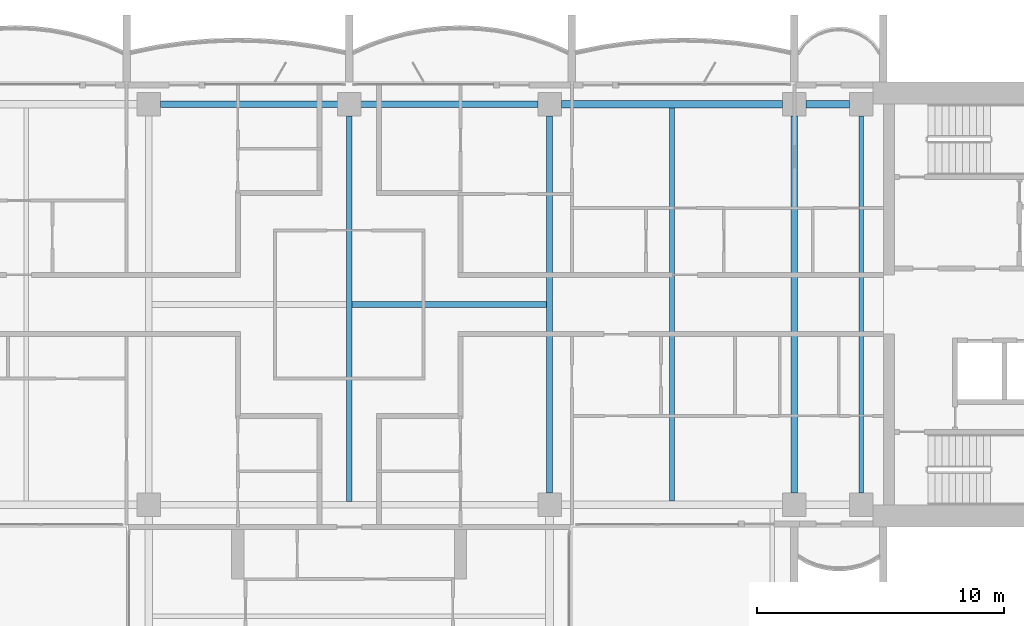
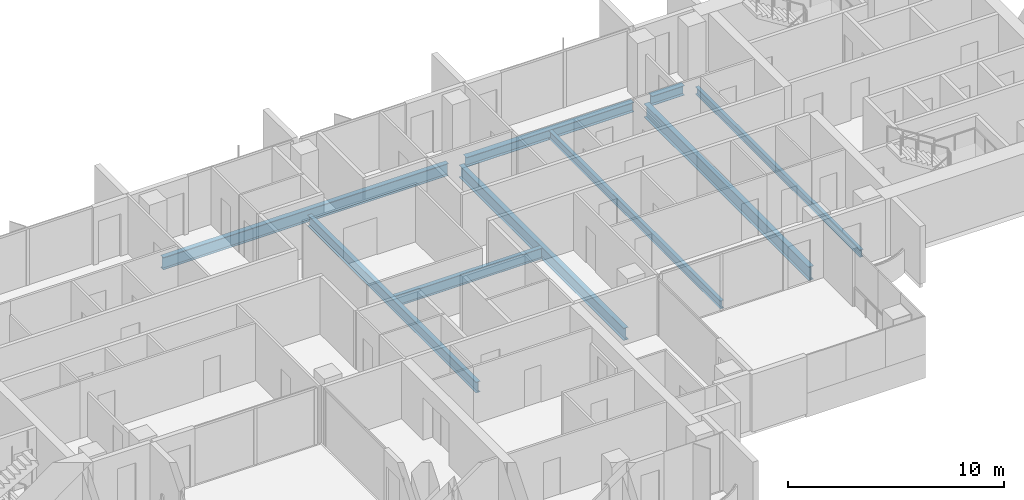
# One storey, part 4 of 17: 9 beams.
"""IFC4 building model written with IfcOpenShell, lengths in metres."""

from ifc_helpers import new_model, si_unit, direction, frame, origin, origin_2d, place, context, subcontext, project, spatial, i_section, extrude, material, material_profile, profile_set, type_object, element, save


model = new_model("IFC4")

# Units and contexts
model_context = context("Model", 3, precision=1e-05, world=origin(), true_north=direction((0.0, 1.0)))
body_context = subcontext(model_context, "Body", "Model", "MODEL_VIEW")
ifc_project = project(units=[si_unit("LENGTHUNIT", "METRE"), si_unit("AREAUNIT", "SQUARE_METRE"), si_unit("VOLUMEUNIT", "CUBIC_METRE"), si_unit("PLANEANGLEUNIT", "RADIAN"), si_unit("MASSUNIT", "GRAM", prefix="KILO")], contexts=[model_context])

# Site, building, storey
site_placement = place(None, origin())
site = spatial("IfcSite", under=ifc_project, at=site_placement, CompositionType="ELEMENT")
building_placement = place(site_placement, origin())
building = spatial("IfcBuilding", under=site, at=building_placement, Name="Perihelion Cross Residences", CompositionType="ELEMENT")
storey_placement = place(building_placement, frame((0.0, 0.0, 180.60009765625)))
storey = spatial("IfcBuildingStorey", under=building, at=storey_placement, Name="L44", CompositionType="ELEMENT", Elevation=180.60009765625)

# Beams
ifc_material_1 = material(Name="Steel S355", Category="steel")
ifc_material_profile_1 = material_profile(ifc_material_1, i_section(OverallWidth=0.180908203125, OverallDepth=0.4169921875, WebThickness=0.010986328125, FlangeThickness=0.018310546875, at=origin_2d()), Name="W410x85")
ifc_profile_set_1 = profile_set([ifc_material_profile_1], Name="Steel S355")
beam_type_1 = type_object("IfcBeamType", Name="Core edge beam W410x85", PredefinedType="BEAM", material=ifc_profile_set_1)
beam_1_placement = place(storey_placement, frame((20.699951171875, -7.625, -0.45849609375), z_axis=(0.0, 1.0, 0.0), x_axis=(-1.0, 0.0, 0.0)))
element("IfcBeam", 1, at=beam_1_placement, inside=storey, type_object=beam_type_1, Name="Core edge beam TB6 L44 no. 2", PredefinedType="BEAM", context=body_context, shape_type="SweptSolid", body=[
    extrude(i_section(OverallWidth=0.180908203125, OverallDepth=0.4169921875, WebThickness=0.010986328125, FlangeThickness=0.018310546875, at=origin_2d()), origin(), (0.0, 0.0, 1.0), 15.25),
])
ifc_material_2 = material(Name="Steel S355", Category="steel")
ifc_material_profile_2 = material_profile(ifc_material_2, i_section(OverallWidth=0.31201171875, OverallDepth=0.5439453125, WebThickness=0.0126953125, FlangeThickness=0.020263671875, at=origin_2d()), Name="W530x150")
ifc_profile_set_2 = profile_set([ifc_material_profile_2], Name="Steel S355")
beam_type_2 = type_object("IfcBeamType", Name="Edge beam W530x150", PredefinedType="SPANDREL", material=ifc_profile_set_2)
beam_2_placement = place(storey_placement, frame((20.22509765625, 8.10009765625, -0.522216796875), z_axis=(-1.0, 0.0, 0.0), x_axis=(0.0, -1.0, 0.0)))
element("IfcBeam", 2, at=beam_2_placement, inside=storey, type_object=beam_type_2, Name="Edge beam SB4 L44 no. 10", PredefinedType="SPANDREL", context=body_context, shape_type="SweptSolid", body=[
    extrude(i_section(OverallWidth=0.31201171875, OverallDepth=0.5439453125, WebThickness=0.0126953125, FlangeThickness=0.020263671875, at=origin_2d()), origin(), (0.0, 0.0, 1.0), 1.75),
])
beam_3_placement = place(storey_placement, frame((17.52490234375, 8.10009765625, -0.522216796875), z_axis=(-1.0, 0.0, 0.0), x_axis=(0.0, -1.0, 0.0)))
element("IfcBeam", 3, at=beam_3_placement, inside=storey, type_object=beam_type_2, Name="Edge beam SB4 L44 no. 9", PredefinedType="SPANDREL", context=body_context, shape_type="SweptSolid", body=[
    extrude(i_section(OverallWidth=0.31201171875, OverallDepth=0.5439453125, WebThickness=0.0126953125, FlangeThickness=0.020263671875, at=origin_2d()), origin(), (0.0, 0.0, 1.0), 8.949951171875),
])
ifc_material_3 = material(Name="Steel S355", Category="steel")
ifc_material_profile_3 = material_profile(ifc_material_3, i_section(OverallWidth=0.26708984375, OverallDepth=0.77001953125, WebThickness=0.015625, FlangeThickness=0.025390625, at=origin_2d()), Name="W760x196")
ifc_profile_set_3 = profile_set([ifc_material_profile_3], Name="Steel S355")
beam_type_3 = type_object("IfcBeamType", Name="Floor girder W760x196", PredefinedType="BEAM", material=ifc_profile_set_3)
beam_4_placement = place(storey_placement, frame((18.0, -7.625, -0.635009765625), z_axis=(0.0, 1.0, 0.0), x_axis=(-1.0, 0.0, 0.0)))
element("IfcBeam", 4, at=beam_4_placement, inside=storey, type_object=beam_type_3, Name="Girder G4 L44 no. 2", PredefinedType="BEAM", context=body_context, shape_type="SweptSolid", body=[
    extrude(i_section(OverallWidth=0.26708984375, OverallDepth=0.77001953125, WebThickness=0.015625, FlangeThickness=0.025390625, at=origin_2d()), origin(), (0.0, 0.0, 1.0), 15.25),
])
ifc_material_4 = material(Name="Steel S355", Category="steel")
ifc_material_profile_4 = material_profile(ifc_material_4, i_section(OverallWidth=0.19091796875, OverallDepth=0.45703125, WebThickness=0.009033203125, FlangeThickness=0.014404296875, at=origin_2d()), Name="W460x74")
ifc_profile_set_4 = profile_set([ifc_material_profile_4], Name="Steel S355")
beam_type_4 = type_object("IfcBeamType", Name="Floor joist W460x74", PredefinedType="JOIST", material=ifc_profile_set_4)
beam_5_placement = place(storey_placement, frame((13.050048828125, -7.944091796875, -0.478515625), z_axis=(0.0, 1.0, 0.0), x_axis=(-1.0, 0.0, 0.0)))
element("IfcBeam", 5, at=beam_5_placement, inside=storey, type_object=beam_type_4, Name="Joist J5 L44 no. 2", PredefinedType="JOIST", context=body_context, shape_type="SweptSolid", body=[
    extrude(i_section(OverallWidth=0.19091796875, OverallDepth=0.45703125, WebThickness=0.009033203125, FlangeThickness=0.014404296875, at=origin_2d()), origin(), (0.0, 0.0, 1.0), 15.88818359375),
])
ifc_material_5 = material(Name="Steel S355", Category="steel")
ifc_material_profile_5 = material_profile(ifc_material_5, i_section(OverallWidth=0.22900390625, OverallDepth=0.612060546875, WebThickness=0.011962890625, FlangeThickness=0.01953125, at=origin_2d()), Name="W610x125")
ifc_profile_set_5 = profile_set([ifc_material_profile_5], Name="Steel S355")
beam_type_5 = type_object("IfcBeamType", Name="Hub cross beam W610x125", PredefinedType="BEAM", material=ifc_profile_set_5)
beam_6_placement = place(storey_placement, frame((0.0, -7.971435546875, -0.55615234375), z_axis=(0.0, 1.0, 0.0), x_axis=(-1.0, 0.0, 0.0)))
element("IfcBeam", 6, at=beam_6_placement, inside=storey, type_object=beam_type_5, Name="Hub cross beam XB4 L44 no. 1", PredefinedType="BEAM", context=body_context, shape_type="SweptSolid", body=[
    extrude(i_section(OverallWidth=0.22900390625, OverallDepth=0.612060546875, WebThickness=0.011962890625, FlangeThickness=0.01953125, at=origin_2d()), origin(), (0.0, 0.0, 1.0), 15.596435546875),
])
beam_7_placement = place(storey_placement, frame((0.114501953125, 0.0, -0.55615234375), z_axis=(1.0, 0.0, 0.0), x_axis=(0.0, 1.0, 0.0)))
element("IfcBeam", 7, at=beam_7_placement, inside=storey, type_object=beam_type_5, Name="Hub cross beam XB4 L44 2 no. 1", PredefinedType="BEAM", context=body_context, shape_type="SweptSolid", body=[
    extrude(i_section(OverallWidth=0.22900390625, OverallDepth=0.612060546875, WebThickness=0.011962890625, FlangeThickness=0.01953125, at=origin_2d()), origin(), (0.0, 0.0, 1.0), 7.85693359375),
])
ifc_material_6 = material(Name="Steel S355", Category="steel")
ifc_material_profile_6 = material_profile(ifc_material_6, i_section(OverallWidth=0.257080078125, OverallDepth=0.693115234375, WebThickness=0.014404296875, FlangeThickness=0.023681640625, at=origin_2d()), Name="W690x170")
ifc_profile_set_6 = profile_set([ifc_material_profile_6], Name="Steel S355")
beam_type_6 = type_object("IfcBeamType", Name="Hub ring girder W690x170", PredefinedType="BEAM", material=ifc_profile_set_6)
for number, where, z_axis, x_axis, name in (
    (8, (8.10009765625, -7.625, -0.5966796875), (0.0, 1.0, 0.0), (-1.0, 0.0, 0.0), "Hub ring girder RG4 L44 no. 3"),
    (9, (7.625, 8.10009765625, -0.5966796875), (-1.0, 0.0, 0.0), (0.0, -1.0, 0.0), "Hub ring girder RG4 L44 no. 4"),
):
    element("IfcBeam", number, at=place(storey_placement, frame(where, z_axis=z_axis, x_axis=x_axis)), inside=storey, type_object=beam_type_6, Name=name, PredefinedType="BEAM", context=body_context, shape_type="SweptSolid", body=[
        extrude(i_section(OverallWidth=0.257080078125, OverallDepth=0.693115234375, WebThickness=0.014404296875, FlangeThickness=0.023681640625, at=origin_2d()), origin(), (0.0, 0.0, 1.0), 15.25),
    ])

save(model, "model.ifc")
